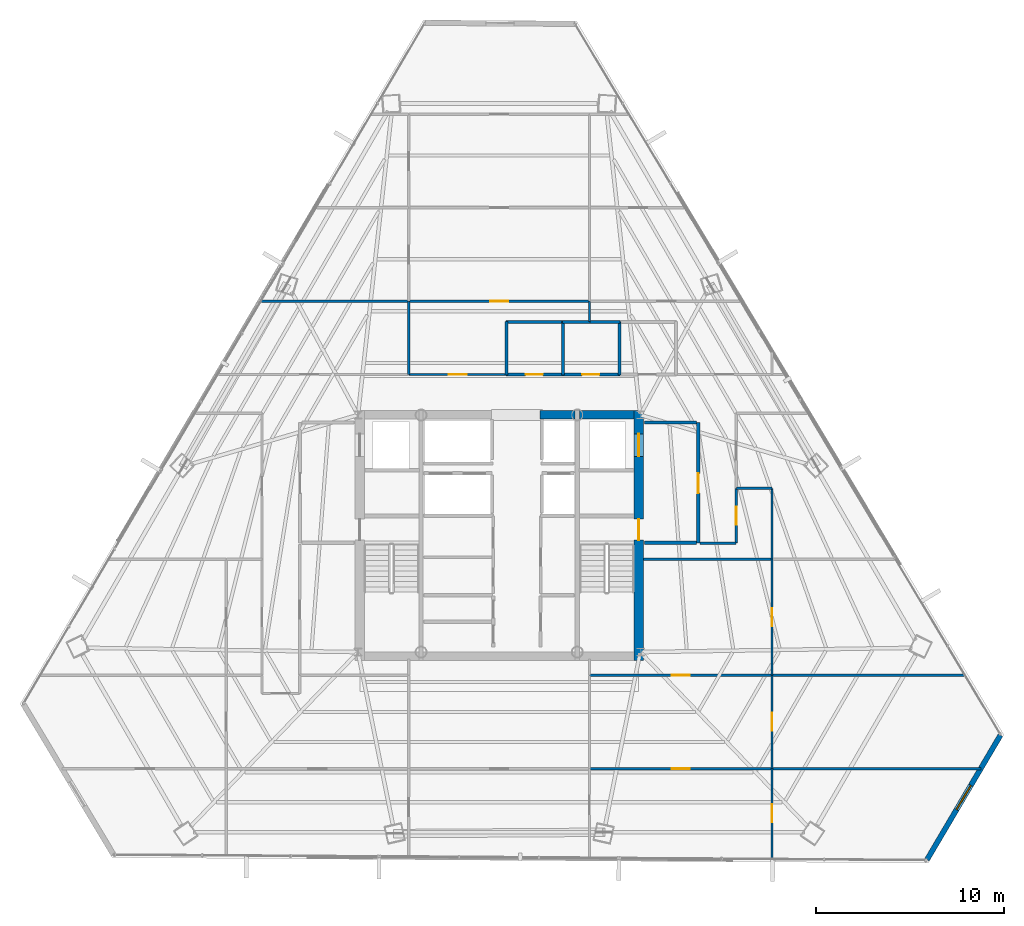
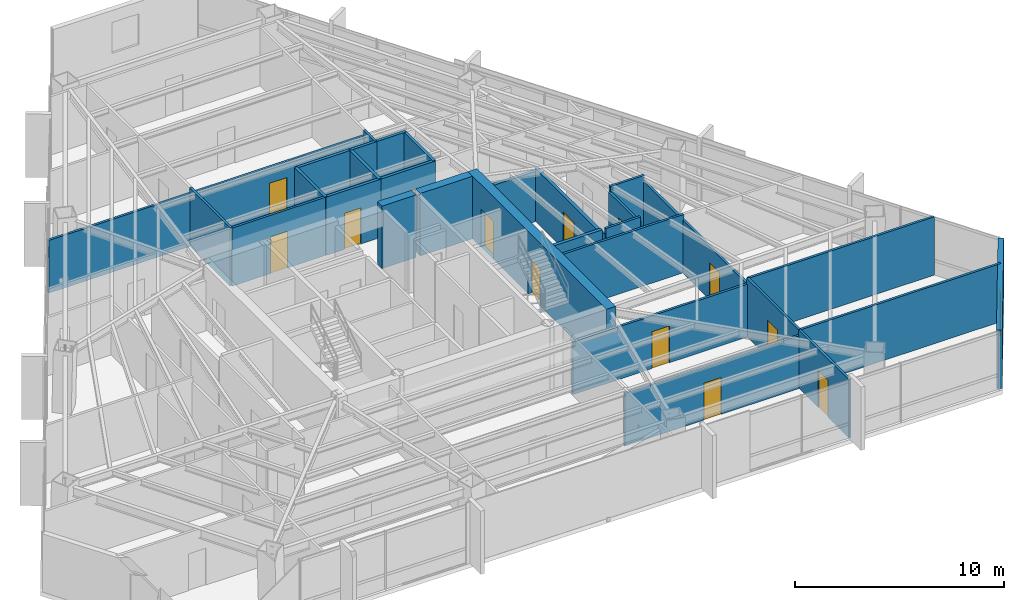
# One storey, part 36 of 40: 32 walls, 13 doors, 1 window, 14 openings.
"""IFC4 building model written with IfcOpenShell, lengths in metres."""

from ifc_helpers import new_model, si_unit, direction, frame, frame_2d, origin, place, context, subcontext, project, spatial, rectangle, extrude, material, layer, layer_set, type_object, element, fill, save


model = new_model("IFC4")

# Units and contexts
model_context = context("Model", 3, precision=1e-05, world=origin(), true_north=direction((0.0, 1.0)))
body_context = subcontext(model_context, "Body", "Model", "MODEL_VIEW")
ifc_project = project(units=[si_unit("LENGTHUNIT", "METRE"), si_unit("AREAUNIT", "SQUARE_METRE"), si_unit("VOLUMEUNIT", "CUBIC_METRE"), si_unit("PLANEANGLEUNIT", "RADIAN"), si_unit("MASSUNIT", "GRAM", prefix="KILO")], contexts=[model_context])

# Site, building, storey
site_placement = place(None, origin())
site = spatial("IfcSite", under=ifc_project, at=site_placement, CompositionType="ELEMENT")
building_placement = place(site_placement, origin())
building = spatial("IfcBuilding", under=site, at=building_placement, Name="Caelisora Broadcast Tower", CompositionType="ELEMENT")
storey_placement = place(building_placement, frame((0.0, 0.0, 176.75)))
storey = spatial("IfcBuildingStorey", under=building, at=storey_placement, Name="L46", CompositionType="ELEMENT", Elevation=176.75)

# Wall, openings, doors
ifc_material_1 = material(Name="Concrete 50 MPa (AS 3600 S50)", Category="concrete")
ifc_layer_1 = layer(ifc_material_1, 0.5, Name="Concrete 50 MPa (AS 3600 S50)")
ifc_layer_set_1 = layer_set([ifc_layer_1], Name="Concrete 50 MPa (AS 3600 S50)")
wall_type_1 = type_object("IfcWallType", Name="CW2", PredefinedType="SHEAR", material=ifc_layer_set_1)
wall_1_placement = place(storey_placement, frame((45.409912109375, 16.949951171875, 0.0), z_axis=(0.0, 0.0, 1.0), x_axis=(0.0, 1.0, 0.0)))
wall_1 = element("IfcWall", 1, at=wall_1_placement, inside=storey, type_object=wall_type_1, Name="L46 core shear wall CW2", PredefinedType="SHEAR", context=body_context, shape_type="SweptSolid", body=[
    extrude(rectangle(XDim=13.275146484375, YDim=0.5, at=frame_2d((6.6376953125, 0.0))), origin(), (0.0, 0.0, 1.0), 3.64990234375),
])
opening_1_placement = place(wall_1_placement, frame((6.39990234375, 0.0, 0.0)))
opening_1 = element("IfcOpeningElement", 2, at=opening_1_placement, cuts=wall_1, Name="Opening FD04", PredefinedType="OPENING", context=body_context, shape_type="SweptSolid", body=[
    extrude(rectangle(XDim=1.1201171875, YDim=2.14990234375, at=frame_2d((0.56005859375, 1.074951171875))), frame((0.0, 0.261962890625, 0.0), z_axis=(0.0, -1.0, 0.0), x_axis=(1.0, 0.0, 0.0)), (0.0, 0.0, 1.0), 0.52392578125),
])
opening_2_placement = place(wall_1_placement, frame((10.85009765625, 0.0, 0.0)))
opening_2 = element("IfcOpeningElement", 3, at=opening_2_placement, cuts=wall_1, Name="Opening LD04", PredefinedType="OPENING", context=body_context, shape_type="SweptSolid", body=[
    extrude(rectangle(XDim=1.199951171875, YDim=2.199951171875, at=frame_2d((0.60009765625, 1.10009765625))), frame((0.0, 0.261962890625, 0.0), z_axis=(0.0, -1.0, 0.0), x_axis=(1.0, 0.0, 0.0)), (0.0, 0.0, 1.0), 0.52392578125),
])
ifc_material_2 = material(Name="Pressurised Fire-Isolated Stair Door", Category="steel")
door_type_1 = type_object("IfcDoorType", Name="FD04", OperationType="NOTDEFINED", PredefinedType="DOOR", material=ifc_material_2)
door_1_placement = place(opening_1_placement, origin())
door_1 = element("IfcDoor", 4, at=door_1_placement, inside=storey, type_object=door_type_1, Name="L46 door FD04 (L46-DR-ST2)", OperationType="SINGLE_SWING_RIGHT", OverallHeight=2.14990234375, OverallWidth=1.1201171875, PredefinedType="DOOR", context=body_context, shape_type="SweptSolid", body=[
    extrude(rectangle(XDim=1.1201171875, YDim=2.14990234375, at=frame_2d((0.56005859375, 1.074951171875))), frame((0.0, 0.02490234375, 0.0), z_axis=(0.0, -1.0, 0.0), x_axis=(1.0, 0.0, 0.0)), (0.0, 0.0, 1.0), 0.050048828125),
])
fill(opening_1, door_1)
ifc_material_3 = material(Name="Emergency Firefighting Lift Sliding Landing Door", Category="steel")
door_type_2 = type_object("IfcDoorType", Name="LD04", OperationType="NOTDEFINED", PredefinedType="DOOR", material=ifc_material_3)
door_2_placement = place(opening_2_placement, origin())
door_2 = element("IfcDoor", 5, at=door_2_placement, inside=storey, type_object=door_type_2, Name="L46 door LD04 (L46-LD-FFL2)", OperationType="SLIDING_TO_RIGHT", OverallHeight=2.199951171875, OverallWidth=1.199951171875, PredefinedType="DOOR", context=body_context, shape_type="SweptSolid", body=[
    extrude(rectangle(XDim=1.199951171875, YDim=2.199951171875, at=frame_2d((0.60009765625, 1.10009765625))), frame((0.0, 0.02490234375, 0.0), z_axis=(0.0, -1.0, 0.0), x_axis=(1.0, 0.0, 0.0)), (0.0, 0.0, 1.0), 0.050048828125),
])
fill(opening_2, door_2)

# Walls
ifc_layer_2 = layer(ifc_material_1, 0.449951171875, Name="Concrete 50 MPa (AS 3600 S50)")
ifc_layer_set_2 = layer_set([ifc_layer_2], Name="Concrete 50 MPa (AS 3600 S50)")
wall_type_2 = type_object("IfcWallType", Name="CW5", PredefinedType="SHEAR", material=ifc_layer_set_2)
wall_2_placement = place(storey_placement, frame((40.159912109375, 30.0, 0.0), z_axis=(0.0, 0.0, 1.0), x_axis=(1.0, 0.0, 0.0)))
element("IfcWall", 6, at=wall_2_placement, inside=storey, type_object=wall_type_2, Name="L46 core shear wall CW5", PredefinedType="SHEAR", context=body_context, shape_type="SweptSolid", body=[
    extrude(rectangle(XDim=1.880126953125, YDim=0.449951171875, at=frame_2d((0.93994140625, 0.0))), origin(), (0.0, 0.0, 1.0), 3.64990234375),
])
wall_3_placement = place(storey_placement, frame((42.260009765625, 30.0, 0.0), z_axis=(0.0, 0.0, 1.0), x_axis=(1.0, 0.0, 0.0)))
element("IfcWall", 7, at=wall_3_placement, inside=storey, type_object=wall_type_2, Name="L46 core shear wall CW5", PredefinedType="SHEAR", context=body_context, shape_type="SweptSolid", body=[
    extrude(rectangle(XDim=2.89990234375, YDim=0.449951171875, at=frame_2d((1.449951171875, 0.0))), origin(), (0.0, 0.0, 1.0), 3.64990234375),
])

# Wall, opening, window
ifc_material_4 = material(Name="Insulated Terracotta Spandrel Wall System", Category="masonry")
ifc_layer_3 = layer(ifc_material_4, 0.280029296875, Name="Insulated Terracotta Spandrel Wall System")
ifc_layer_set_3 = layer_set([ifc_layer_3], Name="Insulated Terracotta Spandrel Wall System")
wall_type_3 = type_object("IfcWallType", Name="EW1", PredefinedType="STANDARD", material=ifc_layer_set_3)
wall_4_placement = place(storey_placement, frame((64.63671875, 12.981201171875, 0.0), z_axis=(0.0, 0.0, 1.0), x_axis=(-0.508151927481, -0.861267448936, 0.0)))
wall_4 = element("IfcWall", 8, at=wall_4_placement, inside=storey, type_object=wall_type_3, Name="L46 exterior envelope wall EW1", PredefinedType="STANDARD", context=body_context, shape_type="SweptSolid", body=[
    extrude(rectangle(XDim=7.679931640625, YDim=0.280029296875, at=frame_2d((3.83984375, 0.0))), origin(), (0.0, 0.0, 1.0), 3.39990234375),
])
opening_3_placement = place(wall_4_placement, frame((3.090087890625, 0.0, 0.89990234375)))
opening_3 = element("IfcOpeningElement", 9, at=opening_3_placement, cuts=wall_4, Name="Opening W02", PredefinedType="OPENING", context=body_context, shape_type="SweptSolid", body=[
    extrude(rectangle(XDim=1.5, YDim=1.800048828125, at=frame_2d((0.75, 0.89990234375))), frame((0.0, 0.152099609375, 0.0), z_axis=(0.0, -1.0, 0.0), x_axis=(1.0, 0.0, 0.0)), (0.0, 0.0, 1.0), 0.303955078125),
])
ifc_material_5 = material(Name="Double Glazed Terracotta-Framed Vision Window", Category="glass")
window_type = type_object("IfcWindowType", Name="W02", PartitioningType="SINGLE_PANEL", PredefinedType="WINDOW", material=ifc_material_5)
window_placement = place(opening_3_placement, origin())
window = element("IfcWindow", 10, at=window_placement, inside=storey, type_object=window_type, Name="L46 window W02 (L46-WN-CH0)", OverallHeight=1.800048828125, OverallWidth=1.5, PartitioningType="SINGLE_PANEL", PredefinedType="WINDOW", context=body_context, shape_type="SweptSolid", body=[
    extrude(rectangle(XDim=1.5, YDim=1.800048828125, at=frame_2d((0.75, 0.89990234375))), frame((0.0, 0.030029296875, 0.0), z_axis=(0.0, -1.0, 0.0), x_axis=(1.0, 0.0, 0.0)), (0.0, 0.0, 1.0), 0.06005859375),
])
fill(opening_3, window)

# Wall, opening, door
ifc_material_6 = material(Name="Fire-Rated Gypsum Shaft and Compartment Wall", Category="gypsum")
ifc_layer_4 = layer(ifc_material_6, 0.179931640625, Name="Fire-Rated Gypsum Shaft and Compartment Wall")
ifc_layer_set_4 = layer_set([ifc_layer_4], Name="Fire-Rated Gypsum Shaft and Compartment Wall")
wall_type_4 = type_object("IfcWallType", Name="PW2", PredefinedType="PARTITIONING", material=ifc_layer_set_4)
wall_5_placement = place(storey_placement, frame((48.580078125, 23.199951171875, 0.0), z_axis=(0.0, 0.0, 1.0), x_axis=(0.0, 1.0, 0.0)))
wall_5 = element("IfcWall", 11, at=wall_5_placement, inside=storey, type_object=wall_type_4, Name="L46 fire compartment wall PW2", PredefinedType="PARTITIONING", context=body_context, shape_type="SweptSolid", body=[
    extrude(rectangle(XDim=6.400146484375, YDim=0.179931640625, at=frame_2d((3.2001953125, 0.0))), origin(), (0.0, 0.0, 1.0), 3.077880859375),
])
opening_4_placement = place(wall_5_placement, frame((2.64990234375, 0.0, 0.0)))
opening_4 = element("IfcOpeningElement", 12, at=opening_4_placement, cuts=wall_5, Name="Opening FD02", PredefinedType="OPENING", context=body_context, shape_type="SweptSolid", body=[
    extrude(rectangle(XDim=1.050048828125, YDim=2.14990234375, at=frame_2d((0.52490234375, 1.074951171875))), frame((0.0, 0.10205078125, 0.0), z_axis=(0.0, -1.0, 0.0), x_axis=(1.0, 0.0, 0.0)), (0.0, 0.0, 1.0), 0.203857421875),
])
ifc_material_7 = material(Name="Single-Leaf Steel Fire Lobby Door", Category="steel")
door_type_3 = type_object("IfcDoorType", Name="FD02", OperationType="NOTDEFINED", PredefinedType="DOOR", material=ifc_material_7)
door_3_placement = place(opening_4_placement, origin())
door_3 = element("IfcDoor", 13, at=door_3_placement, inside=storey, type_object=door_type_3, Name="L46 door FD02 (L46-DR-P04D1)", OperationType="SINGLE_SWING_LEFT", OverallHeight=2.14990234375, OverallWidth=1.050048828125, PredefinedType="DOOR", context=body_context, shape_type="SweptSolid", body=[
    extrude(rectangle(XDim=1.050048828125, YDim=2.14990234375, at=frame_2d((0.52490234375, 1.074951171875))), frame((0.0, 0.02490234375, 0.0), z_axis=(0.0, -1.0, 0.0), x_axis=(1.0, 0.0, 0.0)), (0.0, 0.0, 1.0), 0.050048828125),
])
fill(opening_4, door_3)

# Walls
wall_6_placement = place(storey_placement, frame((45.719970703125, 23.199951171875, 0.0), z_axis=(0.0, 0.0, 1.0), x_axis=(1.0, 0.0, 0.0)))
element("IfcWall", 14, at=wall_6_placement, inside=storey, type_object=wall_type_4, Name="L46 fire compartment wall PW2", PredefinedType="PARTITIONING", context=body_context, shape_type="SweptSolid", body=[
    extrude(rectangle(XDim=2.760009765625, YDim=0.179931640625, at=frame_2d((1.3798828125, 0.0))), origin(), (0.0, 0.0, 1.0), 3.39990234375),
])
wall_7_placement = place(storey_placement, frame((45.719970703125, 29.60009765625, 0.0), z_axis=(0.0, 0.0, 1.0), x_axis=(1.0, 0.0, 0.0)))
element("IfcWall", 15, at=wall_7_placement, inside=storey, type_object=wall_type_4, Name="L46 fire compartment wall PW2", PredefinedType="PARTITIONING", context=body_context, shape_type="SweptSolid", body=[
    extrude(rectangle(XDim=2.760009765625, YDim=0.179931640625, at=frame_2d((1.3798828125, 0.0))), origin(), (0.0, 0.0, 1.0), 2.924560546875),
])
ifc_material_8 = material(Name="Acoustic Steel-Stud Plasterboard Partition", Category="gypsum")
ifc_layer_5 = layer(ifc_material_8, 0.1298828125, Name="Acoustic Steel-Stud Plasterboard Partition")
ifc_layer_set_5 = layer_set([ifc_layer_5], Name="Acoustic Steel-Stud Plasterboard Partition")
wall_type_5 = type_object("IfcWallType", Name="PW3", PredefinedType="PARTITIONING", material=ifc_layer_set_5)
wall_8_placement = place(storey_placement, frame((52.5048828125, 11.2099609375, 0.0), z_axis=(0.0, 0.0, 1.0), x_axis=(1.0, 0.0, 0.0)))
element("IfcWall", 16, at=wall_8_placement, inside=storey, type_object=wall_type_5, Name="L46 internal partition PW3", PredefinedType="PARTITIONING", context=body_context, shape_type="SweptSolid", body=[
    extrude(rectangle(XDim=11.092041015625, YDim=0.1298828125, at=frame_2d((5.5458984375, 0.0))), origin(), (0.0, 0.0, 1.0), 3.39990234375),
])
wall_9_placement = place(storey_placement, frame((52.5048828125, 16.169921875, 0.0), z_axis=(0.0, 0.0, 1.0), x_axis=(1.0, 0.0, 0.0)))
element("IfcWall", 17, at=wall_9_placement, inside=storey, type_object=wall_type_5, Name="L46 internal partition PW3", PredefinedType="PARTITIONING", context=body_context, shape_type="SweptSolid", body=[
    extrude(rectangle(XDim=10.258544921875, YDim=0.1298828125, at=frame_2d((5.12939453125, 0.0))), origin(), (0.0, 0.0, 1.0), 3.39990234375),
])

# Wall, opening, door
wall_10_placement = place(storey_placement, frame((42.804931640625, 11.2099609375, 0.0), z_axis=(0.0, 0.0, 1.0), x_axis=(1.0, 0.0, 0.0)))
wall_10 = element("IfcWall", 18, at=wall_10_placement, inside=storey, type_object=wall_type_5, Name="L46 internal partition PW3", PredefinedType="PARTITIONING", context=body_context, shape_type="SweptSolid", body=[
    extrude(rectangle(XDim=9.690185546875, YDim=0.1298828125, at=frame_2d((4.84521484375, 0.0))), origin(), (0.0, 0.0, 1.0), 3.077880859375),
])
opening_5_placement = place(wall_10_placement, frame((4.364990234375, 0.0, 0.0)))
opening_5 = element("IfcOpeningElement", 19, at=opening_5_placement, cuts=wall_10, Name="Opening D01", PredefinedType="OPENING", context=body_context, shape_type="SweptSolid", body=[
    extrude(rectangle(XDim=0.9599609375, YDim=2.14990234375, at=frame_2d((0.47998046875, 1.074951171875))), frame((0.0, 0.076904296875, 0.0), z_axis=(0.0, -1.0, 0.0), x_axis=(1.0, 0.0, 0.0)), (0.0, 0.0, 1.0), 0.15380859375),
])
ifc_material_9 = material(Name="Solid-Core Timber Acoustic Office Door", Category="wood")
door_type_4 = type_object("IfcDoorType", Name="D01", OperationType="NOTDEFINED", PredefinedType="DOOR", material=ifc_material_9)
door_4_placement = place(opening_5_placement, origin())
door_4 = element("IfcDoor", 20, at=door_4_placement, inside=storey, type_object=door_type_4, Name="L46 door D01 (L46-DR-P34D1)", OperationType="SINGLE_SWING_LEFT", OverallHeight=2.14990234375, OverallWidth=0.9599609375, PredefinedType="DOOR", context=body_context, shape_type="SweptSolid", body=[
    extrude(rectangle(XDim=0.9599609375, YDim=2.14990234375, at=frame_2d((0.47998046875, 1.074951171875))), frame((0.0, 0.02490234375, 0.0), z_axis=(0.0, -1.0, 0.0), x_axis=(1.0, 0.0, 0.0)), (0.0, 0.0, 1.0), 0.050048828125),
])
fill(opening_5, door_4)

wall_11_placement = place(storey_placement, frame((42.804931640625, 16.169921875, 0.0), z_axis=(0.0, 0.0, 1.0), x_axis=(1.0, 0.0, 0.0)))
wall_11 = element("IfcWall", 21, at=wall_11_placement, inside=storey, type_object=wall_type_5, Name="L46 internal partition PW3", PredefinedType="PARTITIONING", context=body_context, shape_type="SweptSolid", body=[
    extrude(rectangle(XDim=9.690185546875, YDim=0.1298828125, at=frame_2d((4.84521484375, 0.0))), origin(), (0.0, 0.0, 1.0), 3.077880859375),
])
opening_6_placement = place(wall_11_placement, frame((4.364990234375, 0.0, 0.0)))
opening_6 = element("IfcOpeningElement", 22, at=opening_6_placement, cuts=wall_11, Name="Opening D01", PredefinedType="OPENING", context=body_context, shape_type="SweptSolid", body=[
    extrude(rectangle(XDim=0.9599609375, YDim=2.14990234375, at=frame_2d((0.47998046875, 1.074951171875))), frame((0.0, 0.076904296875, 0.0), z_axis=(0.0, -1.0, 0.0), x_axis=(1.0, 0.0, 0.0)), (0.0, 0.0, 1.0), 0.15380859375),
])
door_5_placement = place(opening_6_placement, origin())
door_5 = element("IfcDoor", 23, at=door_5_placement, inside=storey, type_object=door_type_4, Name="L46 door D01 (L46-DR-P35D1)", OperationType="SINGLE_SWING_RIGHT", OverallHeight=2.14990234375, OverallWidth=0.9599609375, PredefinedType="DOOR", context=body_context, shape_type="SweptSolid", body=[
    extrude(rectangle(XDim=0.9599609375, YDim=2.14990234375, at=frame_2d((0.47998046875, 1.074951171875))), frame((0.0, 0.02490234375, 0.0), z_axis=(0.0, -1.0, 0.0), x_axis=(1.0, 0.0, 0.0)), (0.0, 0.0, 1.0), 0.050048828125),
])
fill(opening_6, door_5)

wall_12_placement = place(storey_placement, frame((33.205078125, 36.0400390625, 0.0), z_axis=(0.0, 0.0, 1.0), x_axis=(1.0, 0.0, 0.0)))
wall_12 = element("IfcWall", 24, at=wall_12_placement, inside=storey, type_object=wall_type_5, Name="L46 internal partition PW3", PredefinedType="PARTITIONING", context=body_context, shape_type="SweptSolid", body=[
    extrude(rectangle(XDim=9.58984375, YDim=0.1298828125, at=frame_2d((4.794921875, 0.0))), origin(), (0.0, 0.0, 1.0), 3.077880859375),
])
opening_7_placement = place(wall_12_placement, frame((4.31494140625, 0.0, 0.0)))
opening_7 = element("IfcOpeningElement", 25, at=opening_7_placement, cuts=wall_12, Name="Opening D01", PredefinedType="OPENING", context=body_context, shape_type="SweptSolid", body=[
    extrude(rectangle(XDim=0.9599609375, YDim=2.14990234375, at=frame_2d((0.47998046875, 1.074951171875))), frame((0.0, 0.076904296875, 0.0), z_axis=(0.0, -1.0, 0.0), x_axis=(1.0, 0.0, 0.0)), (0.0, 0.0, 1.0), 0.15380859375),
])
door_6_placement = place(opening_7_placement, origin())
door_6 = element("IfcDoor", 26, at=door_6_placement, inside=storey, type_object=door_type_4, Name="L46 door D01 (L46-DR-P39D1)", OperationType="SINGLE_SWING_RIGHT", OverallHeight=2.14990234375, OverallWidth=0.9599609375, PredefinedType="DOOR", context=body_context, shape_type="SweptSolid", body=[
    extrude(rectangle(XDim=0.9599609375, YDim=2.14990234375, at=frame_2d((0.47998046875, 1.074951171875))), frame((0.0, 0.02490234375, 0.0), z_axis=(0.0, -1.0, 0.0), x_axis=(1.0, 0.0, 0.0)), (0.0, 0.0, 1.0), 0.050048828125),
])
fill(opening_7, door_6)

# Walls
wall_13_placement = place(storey_placement, frame((25.331298828125, 36.0400390625, 0.0), z_axis=(0.0, 0.0, 1.0), x_axis=(1.0, 0.0, 0.0)))
element("IfcWall", 27, at=wall_13_placement, inside=storey, type_object=wall_type_5, Name="L46 internal partition PW3", PredefinedType="PARTITIONING", context=body_context, shape_type="SweptSolid", body=[
    extrude(rectangle(XDim=7.86376953125, YDim=0.1298828125, at=frame_2d((3.931884765625, 0.0))), origin(), (0.0, 0.0, 1.0), 3.077880859375),
])
wall_14_placement = place(storey_placement, frame((45.675048828125, 22.340087890625, 0.0), z_axis=(0.0, 0.0, 1.0), x_axis=(1.0, 0.0, 0.0)))
element("IfcWall", 28, at=wall_14_placement, inside=storey, type_object=wall_type_5, Name="L46 internal partition PW3", PredefinedType="PARTITIONING", context=body_context, shape_type="SweptSolid", body=[
    extrude(rectangle(XDim=6.820068359375, YDim=0.1298828125, at=frame_2d((3.41015625, 0.0))), origin(), (0.0, 0.0, 1.0), 3.39990234375),
])

# Wall, opening, door
wall_15_placement = place(storey_placement, frame((52.5, 16.175048828125, 0.0), z_axis=(0.0, 0.0, 1.0), x_axis=(0.0, 1.0, 0.0)))
wall_15 = element("IfcWall", 29, at=wall_15_placement, inside=storey, type_object=wall_type_5, Name="L46 internal partition PW3", PredefinedType="PARTITIONING", context=body_context, shape_type="SweptSolid", body=[
    extrude(rectangle(XDim=6.159912109375, YDim=0.1298828125, at=frame_2d((3.080078125, 0.0))), origin(), (0.0, 0.0, 1.0), 3.077880859375),
])
opening_8_placement = place(wall_15_placement, frame((2.60009765625, 0.0, 0.0)))
opening_8 = element("IfcOpeningElement", 30, at=opening_8_placement, cuts=wall_15, Name="Opening D01", PredefinedType="OPENING", context=body_context, shape_type="SweptSolid", body=[
    extrude(rectangle(XDim=0.9599609375, YDim=2.14990234375, at=frame_2d((0.47998046875, 1.074951171875))), frame((0.0, 0.076904296875, 0.0), z_axis=(0.0, -1.0, 0.0), x_axis=(1.0, 0.0, 0.0)), (0.0, 0.0, 1.0), 0.15380859375),
])
door_7_placement = place(opening_8_placement, origin())
door_7 = element("IfcDoor", 31, at=door_7_placement, inside=storey, type_object=door_type_4, Name="L46 door D01 (L46-DR-P51D1)", OperationType="SINGLE_SWING_LEFT", OverallHeight=2.14990234375, OverallWidth=0.9599609375, PredefinedType="DOOR", context=body_context, shape_type="SweptSolid", body=[
    extrude(rectangle(XDim=0.9599609375, YDim=2.14990234375, at=frame_2d((0.47998046875, 1.074951171875))), frame((0.0, 0.02490234375, 0.0), z_axis=(0.0, -1.0, 0.0), x_axis=(1.0, 0.0, 0.0)), (0.0, 0.0, 1.0), 0.050048828125),
])
fill(opening_8, door_7)

wall_16_placement = place(storey_placement, frame((33.205078125, 32.14990234375, 0.0), z_axis=(0.0, 0.0, 1.0), x_axis=(1.0, 0.0, 0.0)))
wall_16 = element("IfcWall", 32, at=wall_16_placement, inside=storey, type_object=wall_type_5, Name="L46 internal partition PW3", PredefinedType="PARTITIONING", context=body_context, shape_type="SweptSolid", body=[
    extrude(rectangle(XDim=5.18994140625, YDim=0.1298828125, at=frame_2d((2.594970703125, 0.0))), origin(), (0.0, 0.0, 1.0), 3.39990234375),
])
opening_9_placement = place(wall_16_placement, frame((2.114990234375, 0.0, 0.0)))
opening_9 = element("IfcOpeningElement", 33, at=opening_9_placement, cuts=wall_16, Name="Opening D01", PredefinedType="OPENING", context=body_context, shape_type="SweptSolid", body=[
    extrude(rectangle(XDim=0.9599609375, YDim=2.14990234375, at=frame_2d((0.47998046875, 1.074951171875))), frame((0.0, 0.076904296875, 0.0), z_axis=(0.0, -1.0, 0.0), x_axis=(1.0, 0.0, 0.0)), (0.0, 0.0, 1.0), 0.15380859375),
])
door_8_placement = place(opening_9_placement, origin())
door_8 = element("IfcDoor", 34, at=door_8_placement, inside=storey, type_object=door_type_4, Name="L46 door D01 (L46-DR-P54D1)", OperationType="SINGLE_SWING_LEFT", OverallHeight=2.14990234375, OverallWidth=0.9599609375, PredefinedType="DOOR", context=body_context, shape_type="SweptSolid", body=[
    extrude(rectangle(XDim=0.9599609375, YDim=2.14990234375, at=frame_2d((0.47998046875, 1.074951171875))), frame((0.0, 0.02490234375, 0.0), z_axis=(0.0, -1.0, 0.0), x_axis=(1.0, 0.0, 0.0)), (0.0, 0.0, 1.0), 0.050048828125),
])
fill(opening_9, door_8)

wall_17_placement = place(storey_placement, frame((52.5, 11.215087890625, 0.0), z_axis=(0.0, 0.0, 1.0), x_axis=(0.0, 1.0, 0.0)))
wall_17 = element("IfcWall", 35, at=wall_17_placement, inside=storey, type_object=wall_type_5, Name="L46 internal partition PW3", PredefinedType="PARTITIONING", context=body_context, shape_type="SweptSolid", body=[
    extrude(rectangle(XDim=4.949951171875, YDim=0.1298828125, at=frame_2d((2.47509765625, 0.0))), origin(), (0.0, 0.0, 1.0), 3.39990234375),
])
opening_10_placement = place(wall_17_placement, frame((1.9951171875, 0.0, 0.0)))
opening_10 = element("IfcOpeningElement", 36, at=opening_10_placement, cuts=wall_17, Name="Opening D01", PredefinedType="OPENING", context=body_context, shape_type="SweptSolid", body=[
    extrude(rectangle(XDim=0.9599609375, YDim=2.14990234375, at=frame_2d((0.47998046875, 1.074951171875))), frame((0.0, 0.076904296875, 0.0), z_axis=(0.0, -1.0, 0.0), x_axis=(1.0, 0.0, 0.0)), (0.0, 0.0, 1.0), 0.15380859375),
])
door_9_placement = place(opening_10_placement, origin())
door_9 = element("IfcDoor", 37, at=door_9_placement, inside=storey, type_object=door_type_4, Name="L46 door D01 (L46-DR-P62D1)", OperationType="SINGLE_SWING_LEFT", OverallHeight=2.14990234375, OverallWidth=0.9599609375, PredefinedType="DOOR", context=body_context, shape_type="SweptSolid", body=[
    extrude(rectangle(XDim=0.9599609375, YDim=2.14990234375, at=frame_2d((0.47998046875, 1.074951171875))), frame((0.0, 0.02490234375, 0.0), z_axis=(0.0, -1.0, 0.0), x_axis=(1.0, 0.0, 0.0)), (0.0, 0.0, 1.0), 0.050048828125),
])
fill(opening_10, door_9)

wall_18_placement = place(storey_placement, frame((52.5, 6.390380859375, 0.0), z_axis=(0.0, 0.0, 1.0), x_axis=(0.0, 1.0, 0.0)))
wall_18 = element("IfcWall", 38, at=wall_18_placement, inside=storey, type_object=wall_type_5, Name="L46 internal partition PW3", PredefinedType="PARTITIONING", context=body_context, shape_type="SweptSolid", body=[
    extrude(rectangle(XDim=4.814697265625, YDim=0.1298828125, at=frame_2d((2.4072265625, 0.0))), origin(), (0.0, 0.0, 1.0), 3.39990234375),
])
opening_11_placement = place(wall_18_placement, frame((1.972900390625, 0.0, 0.0)))
opening_11 = element("IfcOpeningElement", 39, at=opening_11_placement, cuts=wall_18, Name="Opening D01", PredefinedType="OPENING", context=body_context, shape_type="SweptSolid", body=[
    extrude(rectangle(XDim=0.9599609375, YDim=2.14990234375, at=frame_2d((0.47998046875, 1.074951171875))), frame((0.0, 0.076904296875, 0.0), z_axis=(0.0, -1.0, 0.0), x_axis=(1.0, 0.0, 0.0)), (0.0, 0.0, 1.0), 0.15380859375),
])
door_10_placement = place(opening_11_placement, origin())
door_10 = element("IfcDoor", 40, at=door_10_placement, inside=storey, type_object=door_type_4, Name="L46 door D01 (L46-DR-P65D1)", OperationType="SINGLE_SWING_LEFT", OverallHeight=2.14990234375, OverallWidth=0.9599609375, PredefinedType="DOOR", context=body_context, shape_type="SweptSolid", body=[
    extrude(rectangle(XDim=0.9599609375, YDim=2.14990234375, at=frame_2d((0.47998046875, 1.074951171875))), frame((0.0, 0.02490234375, 0.0), z_axis=(0.0, -1.0, 0.0), x_axis=(1.0, 0.0, 0.0)), (0.0, 0.0, 1.0), 0.050048828125),
])
fill(opening_11, door_10)

# Walls
wall_19_placement = place(storey_placement, frame((33.199951171875, 32.155029296875, 0.0), z_axis=(0.0, 0.0, 1.0), x_axis=(0.0, 1.0, 0.0)))
element("IfcWall", 41, at=wall_19_placement, inside=storey, type_object=wall_type_5, Name="L46 internal partition PW3", PredefinedType="PARTITIONING", context=body_context, shape_type="SweptSolid", body=[
    extrude(rectangle(XDim=3.8798828125, YDim=0.1298828125, at=frame_2d((1.93994140625, 0.0))), origin(), (0.0, 0.0, 1.0), 3.39990234375),
])
wall_20_placement = place(storey_placement, frame((52.5, 26.094970703125, 0.0), z_axis=(0.0, 0.0, 1.0), x_axis=(0.0, -1.0, 0.0)))
element("IfcWall", 42, at=wall_20_placement, inside=storey, type_object=wall_type_5, Name="L46 internal partition PW3", PredefinedType="PARTITIONING", context=body_context, shape_type="SweptSolid", body=[
    extrude(rectangle(XDim=3.75, YDim=0.1298828125, at=frame_2d((1.875, 0.0))), origin(), (0.0, 0.0, 1.0), 3.077880859375),
])

# Wall, opening, door
wall_21_placement = place(storey_placement, frame((50.60009765625, 23.18505859375, 0.0), z_axis=(0.0, 0.0, 1.0), x_axis=(0.0, 1.0, 0.0)))
wall_21 = element("IfcWall", 43, at=wall_21_placement, inside=storey, type_object=wall_type_5, Name="L46 internal partition PW3", PredefinedType="PARTITIONING", context=body_context, shape_type="SweptSolid", body=[
    extrude(rectangle(XDim=2.909912109375, YDim=0.1298828125, at=frame_2d((1.455078125, 0.0))), origin(), (0.0, 0.0, 1.0), 3.077880859375),
])
opening_12_placement = place(wall_21_placement, frame((0.97509765625, 0.0, 0.0)))
opening_12 = element("IfcOpeningElement", 44, at=opening_12_placement, cuts=wall_21, Name="Opening D01", PredefinedType="OPENING", context=body_context, shape_type="SweptSolid", body=[
    extrude(rectangle(XDim=0.9599609375, YDim=2.14990234375, at=frame_2d((0.47998046875, 1.074951171875))), frame((0.0, 0.076904296875, 0.0), z_axis=(0.0, -1.0, 0.0), x_axis=(1.0, 0.0, 0.0)), (0.0, 0.0, 1.0), 0.15380859375),
])
door_11_placement = place(opening_12_placement, origin())
door_11 = element("IfcDoor", 45, at=door_11_placement, inside=storey, type_object=door_type_4, Name="L46 door D01 (L46-DR-P74D1)", OperationType="SINGLE_SWING_LEFT", OverallHeight=2.14990234375, OverallWidth=0.9599609375, PredefinedType="DOOR", context=body_context, shape_type="SweptSolid", body=[
    extrude(rectangle(XDim=0.9599609375, YDim=2.14990234375, at=frame_2d((0.47998046875, 1.074951171875))), frame((0.0, 0.02490234375, 0.0), z_axis=(0.0, -1.0, 0.0), x_axis=(1.0, 0.0, 0.0)), (0.0, 0.0, 1.0), 0.050048828125),
])
fill(opening_12, door_11)

# Walls
wall_22_placement = place(storey_placement, frame((48.675048828125, 23.179931640625, 0.0), z_axis=(0.0, 0.0, 1.0), x_axis=(1.0, 0.0, 0.0)))
element("IfcWall", 46, at=wall_22_placement, inside=storey, type_object=wall_type_5, Name="L46 internal partition PW3", PredefinedType="PARTITIONING", context=body_context, shape_type="SweptSolid", body=[
    extrude(rectangle(XDim=1.919921875, YDim=0.1298828125, at=frame_2d((0.9599609375, 0.0))), origin(), (0.0, 0.0, 1.0), 3.39990234375),
])
wall_23_placement = place(storey_placement, frame((50.60498046875, 26.10009765625, 0.0), z_axis=(0.0, 0.0, 1.0), x_axis=(1.0, 0.0, 0.0)))
element("IfcWall", 47, at=wall_23_placement, inside=storey, type_object=wall_type_5, Name="L46 internal partition PW3", PredefinedType="PARTITIONING", context=body_context, shape_type="SweptSolid", body=[
    extrude(rectangle(XDim=1.89013671875, YDim=0.1298828125, at=frame_2d((0.945068359375, 0.0))), origin(), (0.0, 0.0, 1.0), 3.39990234375),
])
wall_24_placement = place(storey_placement, frame((42.800048828125, 34.955078125, 0.0), z_axis=(0.0, 0.0, 1.0), x_axis=(0.0, 1.0, 0.0)))
element("IfcWall", 48, at=wall_24_placement, inside=storey, type_object=wall_type_5, Name="L46 internal partition PW3", PredefinedType="PARTITIONING", context=body_context, shape_type="SweptSolid", body=[
    extrude(rectangle(XDim=1.079833984375, YDim=0.1298828125, at=frame_2d((0.5400390625, 0.0))), origin(), (0.0, 0.0, 1.0), 3.39990234375),
])

# Wall, opening, door
ifc_material_10 = material(Name="Moisture-Resistant Wet Plumbing Service Wall", Category="gypsum")
ifc_layer_6 = layer(ifc_material_10, 0.159912109375, Name="Moisture-Resistant Wet Plumbing Service Wall")
ifc_layer_set_6 = layer_set([ifc_layer_6], Name="Moisture-Resistant Wet Plumbing Service Wall")
wall_type_6 = type_object("IfcWallType", Name="PW4", PredefinedType="PLUMBINGWALL", material=ifc_layer_set_6)
wall_25_placement = place(storey_placement, frame((38.375, 32.14990234375, 0.0), z_axis=(0.0, 0.0, 1.0), x_axis=(1.0, 0.0, 0.0)))
wall_25 = element("IfcWall", 49, at=wall_25_placement, inside=storey, type_object=wall_type_6, Name="L46 wet plumbing wall PW4", PredefinedType="PLUMBINGWALL", context=body_context, shape_type="SweptSolid", body=[
    extrude(rectangle(XDim=3.050048828125, YDim=0.159912109375, at=frame_2d((1.52490234375, 0.0))), origin(), (0.0, 0.0, 1.0), 3.39990234375),
])
opening_13_placement = place(wall_25_placement, frame((1.034912109375, 0.0, 0.0)))
opening_13 = element("IfcOpeningElement", 50, at=opening_13_placement, cuts=wall_25, Name="Opening D03", PredefinedType="OPENING", context=body_context, shape_type="SweptSolid", body=[
    extrude(rectangle(XDim=0.919921875, YDim=2.10009765625, at=frame_2d((0.4599609375, 1.050048828125))), frame((0.0, 0.092041015625, 0.0), z_axis=(0.0, -1.0, 0.0), x_axis=(1.0, 0.0, 0.0)), (0.0, 0.0, 1.0), 0.183837890625),
])
ifc_material_11 = material(Name="Laminate Moisture-Resistant Amenity WC Door", Category="wood")
door_type_5 = type_object("IfcDoorType", Name="D03", OperationType="NOTDEFINED", PredefinedType="DOOR", material=ifc_material_11)
door_12_placement = place(opening_13_placement, origin())
door_12 = element("IfcDoor", 51, at=door_12_placement, inside=storey, type_object=door_type_5, Name="L46 door D03 (L46-DR-P17D1)", OperationType="SINGLE_SWING_RIGHT", OverallHeight=2.10009765625, OverallWidth=0.919921875, PredefinedType="DOOR", context=body_context, shape_type="SweptSolid", body=[
    extrude(rectangle(XDim=0.919921875, YDim=2.10009765625, at=frame_2d((0.4599609375, 1.050048828125))), frame((0.0, 0.02490234375, 0.0), z_axis=(0.0, -1.0, 0.0), x_axis=(1.0, 0.0, 0.0)), (0.0, 0.0, 1.0), 0.050048828125),
])
fill(opening_13, door_12)

wall_26_placement = place(storey_placement, frame((41.375, 32.14990234375, 0.0), z_axis=(0.0, 0.0, 1.0), x_axis=(1.0, 0.0, 0.0)))
wall_26 = element("IfcWall", 52, at=wall_26_placement, inside=storey, type_object=wall_type_6, Name="L46 wet plumbing wall PW4", PredefinedType="PLUMBINGWALL", context=body_context, shape_type="SweptSolid", body=[
    extrude(rectangle(XDim=3.050048828125, YDim=0.159912109375, at=frame_2d((1.52490234375, 0.0))), origin(), (0.0, 0.0, 1.0), 3.39990234375),
])
opening_14_placement = place(wall_26_placement, frame((1.034912109375, 0.0, 0.0)))
opening_14 = element("IfcOpeningElement", 53, at=opening_14_placement, cuts=wall_26, Name="Opening D03", PredefinedType="OPENING", context=body_context, shape_type="SweptSolid", body=[
    extrude(rectangle(XDim=0.919921875, YDim=2.10009765625, at=frame_2d((0.4599609375, 1.050048828125))), frame((0.0, 0.092041015625, 0.0), z_axis=(0.0, -1.0, 0.0), x_axis=(1.0, 0.0, 0.0)), (0.0, 0.0, 1.0), 0.183837890625),
])
door_13_placement = place(opening_14_placement, origin())
door_13 = element("IfcDoor", 54, at=door_13_placement, inside=storey, type_object=door_type_5, Name="L46 door D03 (L46-DR-P18D1)", OperationType="SINGLE_SWING_LEFT", OverallHeight=2.10009765625, OverallWidth=0.919921875, PredefinedType="DOOR", context=body_context, shape_type="SweptSolid", body=[
    extrude(rectangle(XDim=0.919921875, YDim=2.10009765625, at=frame_2d((0.4599609375, 1.050048828125))), frame((0.0, 0.02490234375, 0.0), z_axis=(0.0, -1.0, 0.0), x_axis=(1.0, 0.0, 0.0)), (0.0, 0.0, 1.0), 0.050048828125),
])
fill(opening_14, door_13)

# Walls
wall_27_placement = place(storey_placement, frame((38.375, 34.949951171875, 0.0), z_axis=(0.0, 0.0, 1.0), x_axis=(1.0, 0.0, 0.0)))
element("IfcWall", 55, at=wall_27_placement, inside=storey, type_object=wall_type_6, Name="L46 wet plumbing wall PW4", PredefinedType="PLUMBINGWALL", context=body_context, shape_type="SweptSolid", body=[
    extrude(rectangle(XDim=3.050048828125, YDim=0.159912109375, at=frame_2d((1.52490234375, 0.0))), origin(), (0.0, 0.0, 1.0), 3.39990234375),
])
for number, where, z_axis, x_axis, name in (
    (56, (41.39990234375, 32.125, 0.0), (0.0, 0.0, 1.0), (0.0, 1.0, 0.0), "L46 wet plumbing wall PW4"),
    (57, (38.39990234375, 32.125, 0.0), (0.0, 0.0, 1.0), (0.0, 1.0, 0.0), "L46 wet plumbing wall PW4"),
    (58, (44.39990234375, 32.125, 0.0), (0.0, 0.0, 1.0), (0.0, 1.0, 0.0), "L46 wet plumbing wall PW4"),
):
    element("IfcWall", number, at=place(storey_placement, frame(where, z_axis=z_axis, x_axis=x_axis)), inside=storey, type_object=wall_type_6, Name=name, PredefinedType="PLUMBINGWALL", context=body_context, shape_type="SweptSolid", body=[
        extrude(rectangle(XDim=2.85009765625, YDim=0.159912109375, at=frame_2d((1.425048828125, 0.0))), origin(), (0.0, 0.0, 1.0), 3.39990234375),
    ])
wall_28_placement = place(storey_placement, frame((42.77490234375, 34.949951171875, 0.0), z_axis=(0.0, 0.0, 1.0), x_axis=(1.0, 0.0, 0.0)))
element("IfcWall", 59, at=wall_28_placement, inside=storey, type_object=wall_type_6, Name="L46 wet plumbing wall PW4", PredefinedType="PLUMBINGWALL", context=body_context, shape_type="SweptSolid", body=[
    extrude(rectangle(XDim=1.650146484375, YDim=0.159912109375, at=frame_2d((0.8251953125, 0.0))), origin(), (0.0, 0.0, 1.0), 3.39990234375),
])
wall_29_placement = place(storey_placement, frame((41.375, 34.949951171875, 0.0), z_axis=(0.0, 0.0, 1.0), x_axis=(1.0, 0.0, 0.0)))
element("IfcWall", 60, at=wall_29_placement, inside=storey, type_object=wall_type_6, Name="L46 wet plumbing wall PW4", PredefinedType="PLUMBINGWALL", context=body_context, shape_type="SweptSolid", body=[
    extrude(rectangle(XDim=1.449951171875, YDim=0.159912109375, at=frame_2d((0.72509765625, 0.0))), origin(), (0.0, 0.0, 1.0), 3.39990234375),
])

save(model, "model.ifc")
